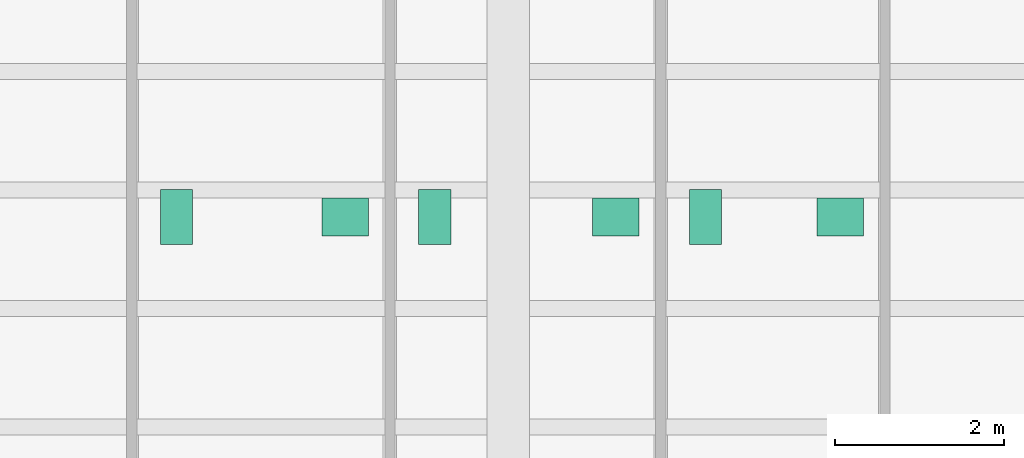
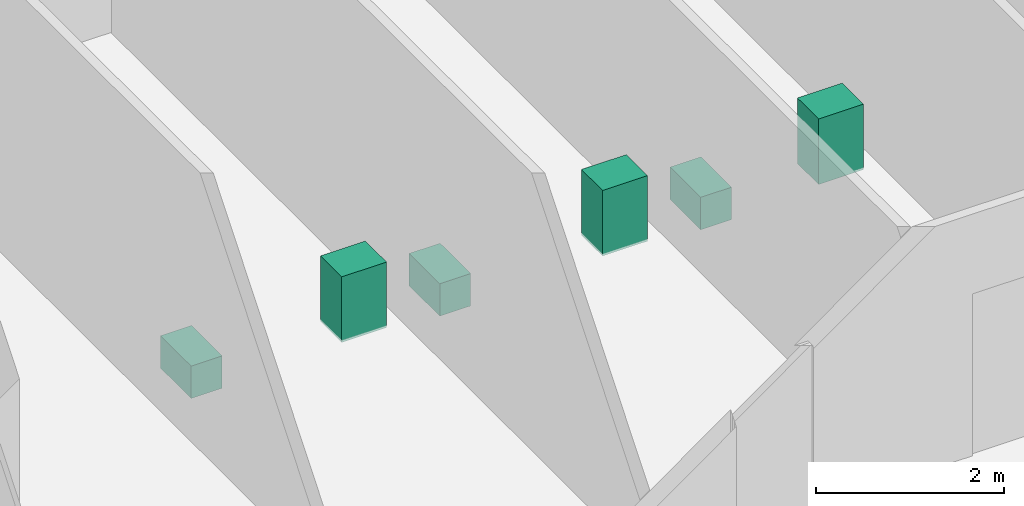
# One storey, part 10 of 10: 6 sanitary terminals.
"""IFC4 building model written with IfcOpenShell, lengths in metres."""

from ifc_helpers import new_model, si_unit, direction, frame, origin, origin_2d, place, context, subcontext, project, spatial, rectangle, extrude, material, type_object, element, save


model = new_model("IFC4")

# Units and contexts
model_context = context("Model", 3, precision=1e-05, world=origin(), true_north=direction((0.0, 1.0)))
body_context = subcontext(model_context, "Body", "Model", "MODEL_VIEW")
ifc_project = project(units=[si_unit("LENGTHUNIT", "METRE"), si_unit("AREAUNIT", "SQUARE_METRE"), si_unit("VOLUMEUNIT", "CUBIC_METRE"), si_unit("PLANEANGLEUNIT", "RADIAN"), si_unit("MASSUNIT", "GRAM", prefix="KILO")], contexts=[model_context])

# Site, building, storey
site_placement = place(None, origin())
site = spatial("IfcSite", under=ifc_project, at=site_placement, CompositionType="ELEMENT")
building_placement = place(site_placement, origin())
building = spatial("IfcBuilding", under=site, at=building_placement, Name="Kranthara Brick Stack", CompositionType="ELEMENT")
storey_placement = place(building_placement, frame((0.0, 0.0, 32.10009765625)))
storey = spatial("IfcBuildingStorey", under=building, at=storey_placement, Name="L07", CompositionType="ELEMENT", Elevation=32.10009765625)

# Sanitary terminals
ifc_material_1 = material(Name="Vitreous china sanitary porcelain", Category="other")
sanitary_terminal_type_1 = type_object("IfcSanitaryTerminalType", Name="SAN-BASIN", PredefinedType="WASHHANDBASIN", material=ifc_material_1)
for number, where, z_axis, x_axis, name in (
    (1, (26.070068359375, 29.985107421875, -0.000244140625), (0.0, 0.0, 1.0), (1.0, 0.0, 0.0), "L07 Washbasin 19"),
    (2, (29.27001953125, 29.985107421875, -0.000244140625), (0.0, 0.0, 1.0), (1.0, 0.0, 0.0), "L07 Washbasin 20"),
    (3, (31.919921875, 29.985107421875, -0.000244140625), (0.0, 0.0, 1.0), (1.0, 0.0, 0.0), "L07 Washbasin 21"),
):
    element("IfcSanitaryTerminal", number, at=place(storey_placement, frame(where, z_axis=z_axis, x_axis=x_axis)), inside=storey, type_object=sanitary_terminal_type_1, Name=name, PredefinedType="WASHHANDBASIN", context=body_context, shape_type="SweptSolid", body=[
        extrude(rectangle(XDim=0.550048828125, YDim=0.449951171875, at=origin_2d()), origin(), (0.0, 0.0, 1.0), 0.85009765625),
    ])
ifc_material_2 = material(Name="Vitreous china sanitary porcelain", Category="other")
sanitary_terminal_type_2 = type_object("IfcSanitaryTerminalType", Name="SAN-WC-PAN", PredefinedType="TOILETPAN", material=ifc_material_2)
for number, where, z_axis, x_axis, name in (
    (4, (24.080078125, 29.985107421875, 0.0), (0.0, 0.0, 1.0), (1.0, 0.0, 0.0), "L07 WC Pan 19"),
    (5, (27.1298828125, 29.985107421875, 0.0), (0.0, 0.0, 1.0), (1.0, 0.0, 0.0), "L07 WC Pan 20"),
    (6, (30.330078125, 29.985107421875, 0.0), (0.0, 0.0, 1.0), (1.0, 0.0, 0.0), "L07 WC Pan 21"),
):
    element("IfcSanitaryTerminal", number, at=place(storey_placement, frame(where, z_axis=z_axis, x_axis=x_axis)), inside=storey, type_object=sanitary_terminal_type_2, Name=name, PredefinedType="TOILETPAN", context=body_context, shape_type="SweptSolid", body=[
        extrude(rectangle(XDim=0.3798828125, YDim=0.64990234375, at=origin_2d()), origin(), (0.0, 0.0, 1.0), 0.419921875),
    ])

save(model, "model.ifc")
